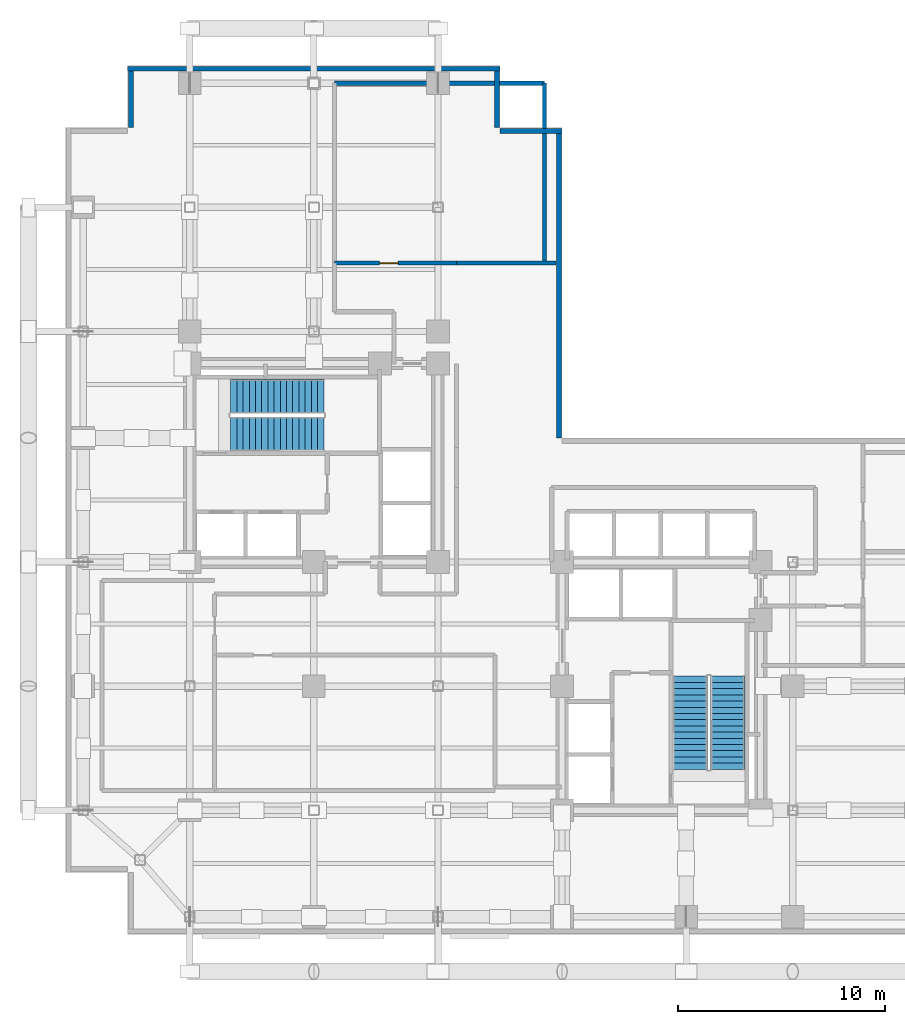
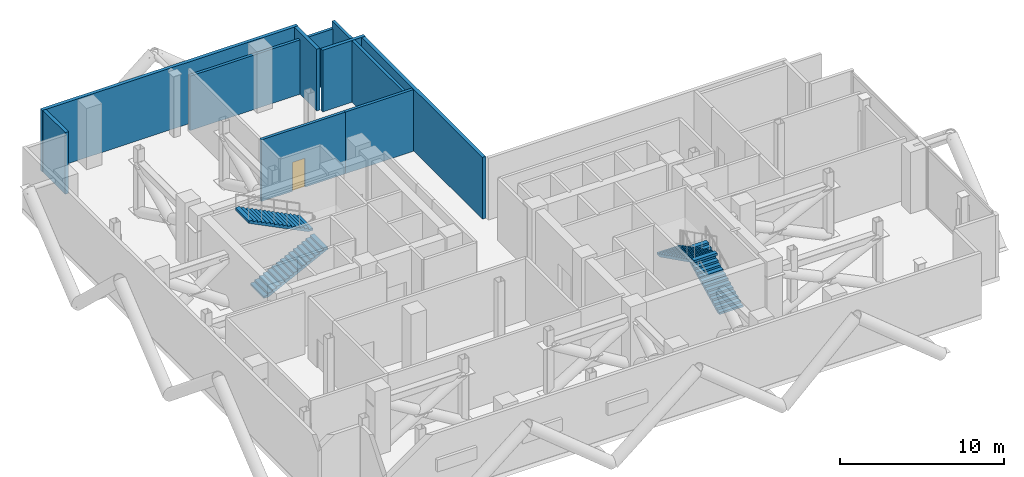
# One storey, part 8 of 9: 9 walls, 4 stair flights, 1 door, 1 opening, 2 elements without a shape of their own.
"""IFC4 building model written with IfcOpenShell, lengths in metres."""

from ifc_helpers import new_model, si_unit, direction, frame, frame_2d, origin, place, context, subcontext, project, spatial, polyline, rectangle, outline, extrude, material, layer, layer_set, type_object, element, fill, aggregate, save


model = new_model("IFC4")

# Units and contexts
model_context = context("Model", 3, precision=1e-05, world=origin(), true_north=direction((0.0, 1.0)))
body_context = subcontext(model_context, "Body", "Model", "MODEL_VIEW")
ifc_project = project(units=[si_unit("LENGTHUNIT", "METRE"), si_unit("AREAUNIT", "SQUARE_METRE"), si_unit("VOLUMEUNIT", "CUBIC_METRE"), si_unit("PLANEANGLEUNIT", "RADIAN"), si_unit("MASSUNIT", "GRAM", prefix="KILO"), si_unit("THERMODYNAMICTEMPERATUREUNIT", "KELVIN"), si_unit("POWERUNIT", "WATT")], contexts=[model_context])

# Site, building, storey
site_placement = place(None, origin())
site = spatial("IfcSite", under=ifc_project, at=site_placement, CompositionType="ELEMENT")
building_placement = place(site_placement, origin())
building = spatial("IfcBuilding", under=site, at=building_placement, Name="Svarakhadi Broadcast Tower", CompositionType="ELEMENT")
storey_placement = place(building_placement, frame((0.0, 0.0, 164.39990234375)))
storey = spatial("IfcBuildingStorey", under=building, at=storey_placement, Name="L40", CompositionType="ELEMENT", Elevation=164.39990234375)

# Walls
ifc_material_1 = material(Name="Concrete C40/50 (IS 456 M50)", Category="concrete")
ifc_layer_1 = layer(ifc_material_1, 0.239990234375)
ifc_layer_set_1 = layer_set([ifc_layer_1], Name="Concrete C40/50 (IS 456 M50)")
wall_type_1 = type_object("IfcWallType", Name="Wall_Ext_240", PredefinedType="SOLIDWALL", material=ifc_layer_set_1)
wall_1_placement = place(storey_placement, frame((3.0, 41.85009765625, 0.0), z_axis=(0.0, 0.0, 1.0), x_axis=(1.0, 0.0, 0.0)))
element("IfcWall", 1, at=wall_1_placement, inside=storey, type_object=wall_type_1, Name="L40 North Mechanical Acoustic Plant Wall", PredefinedType="SOLIDWALL", context=body_context, shape_type="SweptSolid", body=[
    extrude(rectangle(XDim=18.0, YDim=0.239990234375, at=frame_2d((9.0, 0.0))), origin(), (0.0, 0.0, 1.0), 4.590087890625),
])
for number, where, z_axis, x_axis, name in (
    (2, (3.14990234375, 39.0, 0.0), (0.0, 0.0, 1.0), (0.0, 1.0, 0.0), "L40 Perimeter Bronze Spandrel Closure Wall 03"),
    (3, (20.85009765625, 41.7451171875, 0.0), (0.0, 0.0, 1.0), (0.0, -1.0, 0.0), "L40 Perimeter Bronze Spandrel Closure Wall 04"),
):
    element("IfcWall", number, at=place(storey_placement, frame(where, z_axis=z_axis, x_axis=x_axis)), inside=storey, type_object=wall_type_1, Name=name, PredefinedType="SOLIDWALL", context=body_context, shape_type="SweptSolid", body=[
        extrude(rectangle(XDim=2.7451171875, YDim=0.239990234375, at=frame_2d((1.37255859375, 0.0))), origin(), (0.0, 0.0, 1.0), 4.590087890625),
    ])
wall_2_placement = place(storey_placement, frame((21.0, 38.85009765625, 0.0), z_axis=(0.0, 0.0, 1.0), x_axis=(1.0, 0.0, 0.0)))
element("IfcWall", 4, at=wall_2_placement, inside=storey, type_object=wall_type_1, Name="L40 Perimeter Bronze Spandrel Closure Wall 05", PredefinedType="SOLIDWALL", context=body_context, shape_type="SweptSolid", body=[
    extrude(rectangle(XDim=3.0, YDim=0.239990234375, at=frame_2d((1.5, 0.0))), origin(), (0.0, 0.0, 1.0), 4.590087890625),
])
wall_3_placement = place(storey_placement, frame((23.85009765625, 38.72509765625, 0.0), z_axis=(0.0, 0.0, 1.0), x_axis=(0.0, -1.0, 0.0)))
element("IfcWall", 5, at=wall_3_placement, inside=storey, type_object=wall_type_1, Name="L40 Perimeter Bronze Spandrel Closure Wall 06", PredefinedType="SOLIDWALL", context=body_context, shape_type="SweptSolid", body=[
    extrude(rectangle(XDim=14.72509765625, YDim=0.239990234375, at=frame_2d((7.362548828125, 0.0))), origin(), (0.0, 0.0, 1.0), 4.590087890625),
])

# Wall, opening, door
ifc_layer_2 = layer(ifc_material_1, 0.199951171875)
ifc_layer_set_2 = layer_set([ifc_layer_2], Name="Concrete C40/50 (IS 456 M50)")
wall_type_2 = type_object("IfcWallType", Name="Wall_Fire_200", PredefinedType="SOLIDWALL", material=ifc_layer_set_2)
wall_4_placement = place(storey_placement, frame((13.0, 32.449951171875, 0.0), z_axis=(0.0, 0.0, 1.0), x_axis=(1.0, 0.0, 0.0)))
wall_4 = element("IfcWall", 6, at=wall_4_placement, inside=storey, type_object=wall_type_2, Name="L40 Plant Service Corridor Wall", PredefinedType="SOLIDWALL", context=body_context, shape_type="SweptSolid", body=[
    extrude(rectangle(XDim=5.89990234375, YDim=0.199951171875, at=frame_2d((2.949951171875, 0.0))), origin(), (0.0, 0.0, 1.0), 4.590087890625),
])
opening_placement = place(wall_4_placement, frame((2.175048828125, 0.0, 0.0)))
opening = element("IfcOpeningElement", 7, at=opening_placement, cuts=wall_4, Name="Opening D-03", PredefinedType="OPENING", context=body_context, shape_type="SweptSolid", body=[
    extrude(rectangle(XDim=0.89990234375, YDim=2.14990234375, at=frame_2d((0.449951171875, 1.074951171875))), frame((0.0, 0.10986328125, 0.0), z_axis=(0.0, -1.0, 0.0), x_axis=(1.0, 0.0, 0.0)), (0.0, 0.0, 1.0), 0.219970703125),
])
ifc_material_2 = material(Name="Galvanised Powder-Coated Fire-Rated Steel Leaf", Category="steel")
door_type = type_object("IfcDoorType", Name="Door_Fire_D03", OperationType="SINGLE_SWING_LEFT", PredefinedType="DOOR", material=ifc_material_2)
door_placement = place(opening_placement, origin())
door = element("IfcDoor", 8, at=door_placement, inside=storey, type_object=door_type, Name="L40 Pressurised Fire Refuge Area North Door", OperationType="SINGLE_SWING_LEFT", OverallHeight=2.14990234375, OverallWidth=0.89990234375, PredefinedType="DOOR", context=body_context, shape_type="SweptSolid", body=[
    extrude(rectangle(XDim=0.89990234375, YDim=2.14990234375, at=frame_2d((0.449951171875, 1.074951171875))), frame((0.0, 0.02490234375, 0.0), z_axis=(0.0, -1.0, 0.0), x_axis=(1.0, 0.0, 0.0)), (0.0, 0.0, 1.0), 0.050048828125),
])
fill(opening, door)

# Walls
wall_5_placement = place(storey_placement, frame((18.89990234375, 32.449951171875, 0.0), z_axis=(0.0, 0.0, 1.0), x_axis=(1.0, 0.0, 0.0)))
element("IfcWall", 9, at=wall_5_placement, inside=storey, type_object=wall_type_2, Name="L40 Plant Service Corridor Wall", PredefinedType="SOLIDWALL", context=body_context, shape_type="SweptSolid", body=[
    extrude(rectangle(XDim=4.800048828125, YDim=0.199951171875, at=frame_2d((2.39990234375, 0.0))), origin(), (0.0, 0.0, 1.0), 4.590087890625),
])
wall_6_placement = place(storey_placement, frame((13.0, 41.14990234375, 0.0), z_axis=(0.0, 0.0, 1.0), x_axis=(1.0, 0.0, 0.0)))
element("IfcWall", 10, at=wall_6_placement, inside=storey, type_object=wall_type_2, Name="L40 Pressurised Fire Refuge Area North Wall", PredefinedType="SOLIDWALL", context=body_context, shape_type="SweptSolid", body=[
    extrude(rectangle(XDim=10.14990234375, YDim=0.199951171875, at=frame_2d((5.074951171875, 0.0))), origin(), (0.0, 0.0, 1.0), 4.052001953125),
])
wall_7_placement = place(storey_placement, frame((23.14990234375, 32.449951171875, 0.0), z_axis=(0.0, 0.0, 1.0), x_axis=(0.0, 1.0, 0.0)))
element("IfcWall", 11, at=wall_7_placement, inside=storey, type_object=wall_type_2, Name="L40 Pressurised Fire Refuge Area North Wall", PredefinedType="SOLIDWALL", context=body_context, shape_type="SweptSolid", body=[
    extrude(rectangle(XDim=8.699951171875, YDim=0.199951171875, at=frame_2d((4.35009765625, 0.0))), origin(), (0.0, 0.0, 1.0), 4.590087890625),
])

# Stair, stair flights
stair_type = type_object("IfcStairType", Name="Stair_Exit_Core", PredefinedType="HALF_TURN_STAIR", material=ifc_material_1)
stair_1_placement = place(storey_placement, origin())
stair_1 = element("IfcStair", 12, at=stair_1_placement, inside=storey, type_object=stair_type, Name="L40 West Core Protected Exit Stair ST-01", PredefinedType="HALF_TURN_STAIR")
stair_flight_type = type_object("IfcStairFlightType", Name="Flight_RC_1680", PredefinedType="STRAIGHT", material=ifc_material_1)
stair_flight_1_placement = place(storey_placement, frame((7.97998046875, 24.18994140625, 0.0), z_axis=(0.0, 0.0, 1.0), x_axis=(1.0, 0.0, 0.0)))
stair_flight_1 = element("IfcStairFlight", 13, at=stair_flight_1_placement, type_object=stair_flight_type, Name="ST-01 flight 1", NumberOfRisers=16, NumberOfTreads=15, PredefinedType="STRAIGHT", RiserHeight=0.15, TreadLength=0.3, context=body_context, shape_type="SweptSolid", body=[
    extrude(outline(polyline([(0.0, 0.0), (0.0, 0.14990234375), (0.300048828125, 0.14990234375), (0.300048828125, 0.300048828125), (0.60009765625, 0.300048828125), (0.60009765625, 0.449951171875), (0.89990234375, 0.449951171875), (0.89990234375, 0.60009765625), (1.199951171875, 0.60009765625), (1.199951171875, 0.75), (1.5, 0.75), (1.5, 0.89990234375), (1.800048828125, 0.89990234375), (1.800048828125, 1.050048828125), (2.10009765625, 1.050048828125), (2.10009765625, 1.199951171875), (2.39990234375, 1.199951171875), (2.39990234375, 1.35009765625), (2.699951171875, 1.35009765625), (2.699951171875, 1.5), (3.0, 1.5), (3.0, 1.64990234375), (3.300048828125, 1.64990234375), (3.300048828125, 1.800048828125), (3.60009765625, 1.800048828125), (3.60009765625, 1.949951171875), (3.89990234375, 1.949951171875), (3.89990234375, 2.10009765625), (4.199951171875, 2.10009765625), (4.199951171875, 2.25), (4.5, 2.25), (4.5, 2.39990234375), (4.5, 2.08251953125), (0.335205078125, 0.0), (0.0, 0.0)])), frame((0.0, 0.830078125, 0.0), z_axis=(0.0, -1.0, 0.0), x_axis=(1.0, 0.0, 0.0)), (0.0, 0.0, 1.0), 1.659912109375),
])
stair_flight_2_placement = place(storey_placement, frame((12.47998046875, 26.010009765625, 2.400146484375), z_axis=(0.0, 0.0, 1.0), x_axis=(-1.0, 0.0, 0.0)))
stair_flight_2 = element("IfcStairFlight", 14, at=stair_flight_2_placement, type_object=stair_flight_type, Name="ST-01 flight 2", NumberOfRisers=16, NumberOfTreads=15, PredefinedType="STRAIGHT", RiserHeight=0.15, TreadLength=0.3, context=body_context, shape_type="SweptSolid", body=[
    extrude(outline(polyline([(0.0, 0.0), (0.0, 0.14990234375), (0.300048828125, 0.14990234375), (0.300048828125, 0.300048828125), (0.60009765625, 0.300048828125), (0.60009765625, 0.449951171875), (0.89990234375, 0.449951171875), (0.89990234375, 0.60009765625), (1.199951171875, 0.60009765625), (1.199951171875, 0.75), (1.5, 0.75), (1.5, 0.89990234375), (1.800048828125, 0.89990234375), (1.800048828125, 1.050048828125), (2.10009765625, 1.050048828125), (2.10009765625, 1.199951171875), (2.39990234375, 1.199951171875), (2.39990234375, 1.35009765625), (2.699951171875, 1.35009765625), (2.699951171875, 1.5), (3.0, 1.5), (3.0, 1.64990234375), (3.300048828125, 1.64990234375), (3.300048828125, 1.800048828125), (3.60009765625, 1.800048828125), (3.60009765625, 1.949951171875), (3.89990234375, 1.949951171875), (3.89990234375, 2.10009765625), (4.199951171875, 2.10009765625), (4.199951171875, 2.25), (4.5, 2.25), (4.5, 2.39990234375), (4.5, 2.08251953125), (0.335205078125, 0.0), (0.0, 0.0)])), frame((0.0, 0.830078125, 0.0), z_axis=(0.0, -1.0, 0.0), x_axis=(1.0, 0.0, 0.0)), (0.0, 0.0, 1.0), 1.659912109375),
])
aggregate(stair_1, [stair_flight_1, stair_flight_2])

stair_2_placement = place(storey_placement, origin())
stair_2 = element("IfcStair", 15, at=stair_2_placement, inside=storey, type_object=stair_type, Name="L40 East Core Protected Exit Stair ST-02", PredefinedType="HALF_TURN_STAIR")
stair_flight_3_placement = place(storey_placement, frame((32.010009765625, 7.97998046875, 0.0), z_axis=(0.0, 0.0, 1.0), x_axis=(0.0, 1.0, 0.0)))
stair_flight_3 = element("IfcStairFlight", 16, at=stair_flight_3_placement, type_object=stair_flight_type, Name="ST-02 flight 1", NumberOfRisers=16, NumberOfTreads=15, PredefinedType="STRAIGHT", RiserHeight=0.15, TreadLength=0.3, context=body_context, shape_type="SweptSolid", body=[
    extrude(outline(polyline([(0.0, 0.0), (0.0, 0.14990234375), (0.300048828125, 0.14990234375), (0.300048828125, 0.300048828125), (0.60009765625, 0.300048828125), (0.60009765625, 0.449951171875), (0.89990234375, 0.449951171875), (0.89990234375, 0.60009765625), (1.199951171875, 0.60009765625), (1.199951171875, 0.75), (1.5, 0.75), (1.5, 0.89990234375), (1.800048828125, 0.89990234375), (1.800048828125, 1.050048828125), (2.10009765625, 1.050048828125), (2.10009765625, 1.199951171875), (2.39990234375, 1.199951171875), (2.39990234375, 1.35009765625), (2.699951171875, 1.35009765625), (2.699951171875, 1.5), (3.0, 1.5), (3.0, 1.64990234375), (3.300048828125, 1.64990234375), (3.300048828125, 1.800048828125), (3.60009765625, 1.800048828125), (3.60009765625, 1.949951171875), (3.89990234375, 1.949951171875), (3.89990234375, 2.10009765625), (4.199951171875, 2.10009765625), (4.199951171875, 2.25), (4.5, 2.25), (4.5, 2.39990234375), (4.5, 2.08251953125), (0.335205078125, 0.0), (0.0, 0.0)])), frame((0.0, 0.830078125, 0.0), z_axis=(0.0, -1.0, 0.0), x_axis=(1.0, 0.0, 0.0)), (0.0, 0.0, 1.0), 1.659912109375),
])
stair_flight_4_placement = place(storey_placement, frame((30.18994140625, 12.47998046875, 2.400146484375), z_axis=(0.0, 0.0, 1.0), x_axis=(0.0, -1.0, 0.0)))
stair_flight_4 = element("IfcStairFlight", 17, at=stair_flight_4_placement, type_object=stair_flight_type, Name="ST-02 flight 2", NumberOfRisers=16, NumberOfTreads=15, PredefinedType="STRAIGHT", RiserHeight=0.15, TreadLength=0.3, context=body_context, shape_type="SweptSolid", body=[
    extrude(outline(polyline([(0.0, 0.0), (0.0, 0.14990234375), (0.300048828125, 0.14990234375), (0.300048828125, 0.300048828125), (0.60009765625, 0.300048828125), (0.60009765625, 0.449951171875), (0.89990234375, 0.449951171875), (0.89990234375, 0.60009765625), (1.199951171875, 0.60009765625), (1.199951171875, 0.75), (1.5, 0.75), (1.5, 0.89990234375), (1.800048828125, 0.89990234375), (1.800048828125, 1.050048828125), (2.10009765625, 1.050048828125), (2.10009765625, 1.199951171875), (2.39990234375, 1.199951171875), (2.39990234375, 1.35009765625), (2.699951171875, 1.35009765625), (2.699951171875, 1.5), (3.0, 1.5), (3.0, 1.64990234375), (3.300048828125, 1.64990234375), (3.300048828125, 1.800048828125), (3.60009765625, 1.800048828125), (3.60009765625, 1.949951171875), (3.89990234375, 1.949951171875), (3.89990234375, 2.10009765625), (4.199951171875, 2.10009765625), (4.199951171875, 2.25), (4.5, 2.25), (4.5, 2.39990234375), (4.5, 2.08251953125), (0.335205078125, 0.0), (0.0, 0.0)])), frame((0.0, 0.830078125, 0.0), z_axis=(0.0, -1.0, 0.0), x_axis=(1.0, 0.0, 0.0)), (0.0, 0.0, 1.0), 1.659912109375),
])
aggregate(stair_2, [stair_flight_3, stair_flight_4])

save(model, "model.ifc")
